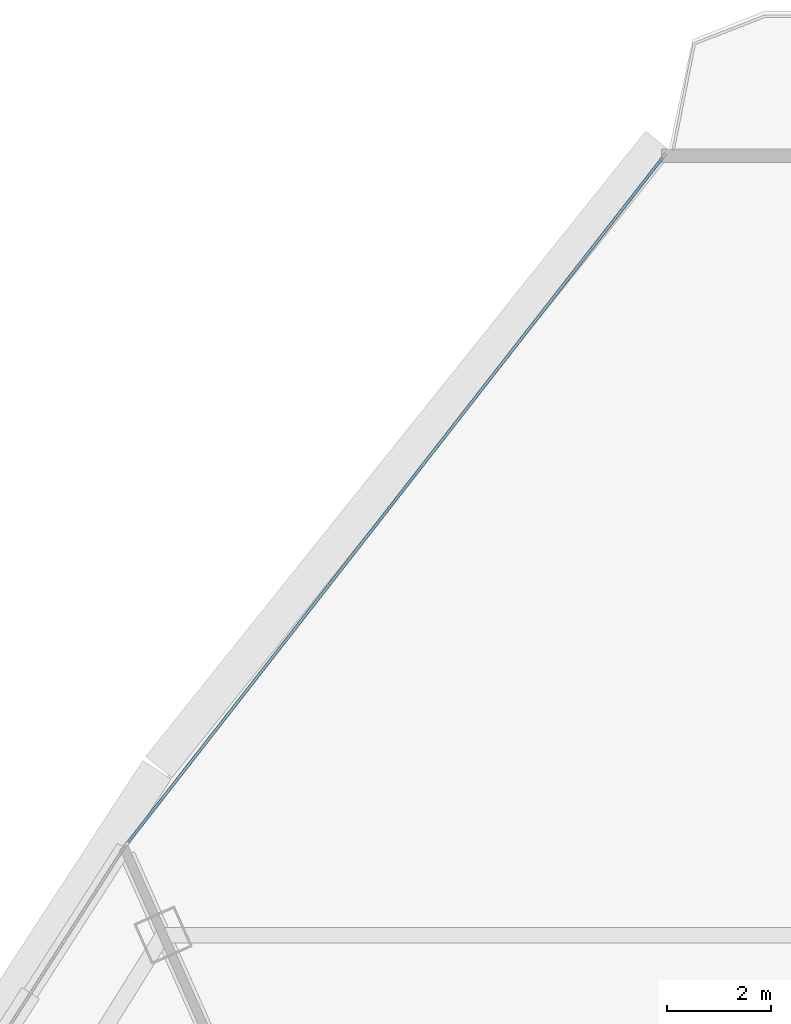
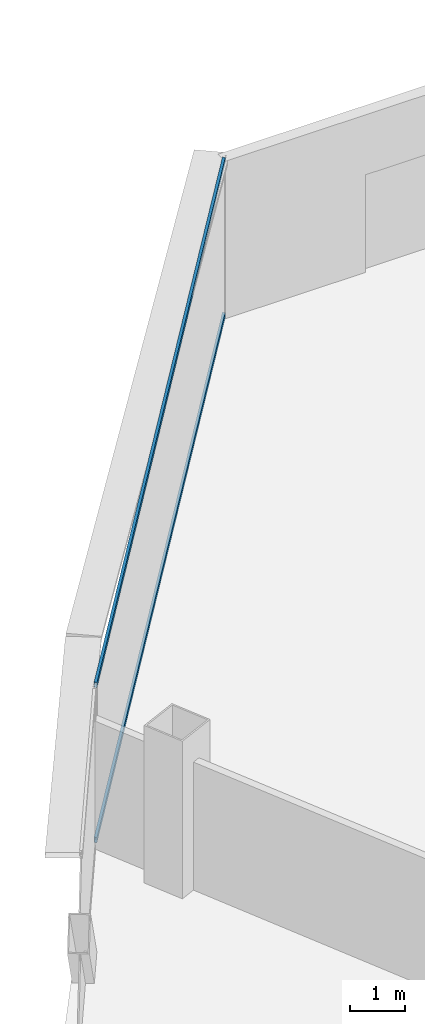
# One storey, part 20 of 37: 2 members, 1 element without a shape of its own.
"""IFC4 building model written with IfcOpenShell, lengths in metres."""

from ifc_helpers import new_model, si_unit, direction, frame, origin, origin_2d, place, context, subcontext, project, spatial, hollow_rectangle, extrude, source, transform, mapped, material, layer, layer_set, material_profile, profile_set, type_object, element, aggregate, save


model = new_model("IFC4")

# Units and contexts
model_context = context("Model", 3, precision=1e-05, world=origin(), true_north=direction((0.0, 1.0)))
body_context = subcontext(model_context, "Body", "Model", "MODEL_VIEW")
ifc_project = project(units=[si_unit("LENGTHUNIT", "METRE"), si_unit("AREAUNIT", "SQUARE_METRE"), si_unit("VOLUMEUNIT", "CUBIC_METRE"), si_unit("PLANEANGLEUNIT", "RADIAN"), si_unit("MASSUNIT", "GRAM", prefix="KILO"), si_unit("THERMODYNAMICTEMPERATUREUNIT", "KELVIN"), si_unit("POWERUNIT", "WATT")], contexts=[model_context])

# Site, building, storey
site_placement = place(None, origin())
site = spatial("IfcSite", under=ifc_project, at=site_placement, CompositionType="ELEMENT")
building_placement = place(site_placement, origin())
building = spatial("IfcBuilding", under=site, at=building_placement, Name="Yunzhuo Pagoda Commons", CompositionType="ELEMENT")
storey_placement = place(building_placement, frame((0.0, 0.0, 259.449951171875)))
storey = spatial("IfcBuildingStorey", under=building, at=storey_placement, Name="L65", CompositionType="ELEMENT", Elevation=259.449951171875)

# Curtain wall, members
ifc_material = material(Name="Anodized aluminium 6063-T6", Category="aluminium")
ifc_layer = layer(ifc_material, 0.139892578125)
ifc_layer_set = layer_set([ifc_layer], Name="Anodized aluminium 6063-T6")
curtain_wall_type = type_object("IfcCurtainWallType", Name="CW-HI High-Zone Ribbon Curtain Wall", PredefinedType="NOTDEFINED", material=ifc_layer_set)
curtain_wall_placement = place(storey_placement, origin())
curtain_wall = element("IfcCurtainWall", 1, at=curtain_wall_placement, inside=storey, type_object=curtain_wall_type, Name="L65 curtain wall CW-L65-F3B1", PredefinedType="NOTDEFINED")
ifc_material_profile = material_profile(ifc_material, hollow_rectangle(XDim=0.054931640625, YDim=0.1201171875, WallThickness=0.00341796875, at=origin_2d()), Name="Anodized aluminium 6063-T6")
ifc_profile_set = profile_set([ifc_material_profile], Name="Anodized aluminium 6063-T6")
member_type = type_object("IfcMemberType", Name="CW-HI-T Transom RHS 120x55x3.5", PredefinedType="USERDEFINED", material=ifc_profile_set)
shared_shape = source(origin(), body_context, "Body", "SweptSolid", [
    extrude(hollow_rectangle(XDim=0.054931640625, YDim=0.1201171875, WallThickness=0.00341796875, at=origin_2d()), origin(), (0.0, 0.0, 1.0), 16.6796875),
])
member_1_placement = place(storey_placement, frame((44.191650390625, 78.75, 0.027587890625), z_axis=(-0.615423035215, -0.788196985357, 0.0), x_axis=(0.788196985357, -0.615423035215, 0.0)))
member_1 = element("IfcMember", 2, at=member_1_placement, type_object=member_type, Name="CW transom 1.1", ObjectType="TRANSOM", PredefinedType="USERDEFINED", context=body_context, shape_type="MappedRepresentation", body=[
    mapped(shared_shape, transform((0.0, 0.0, 0.0), scale=1.0)),
])
member_2_placement = place(storey_placement, frame((44.191650390625, 78.75, 3.442626953125), z_axis=(-0.615423035215, -0.788196985357, 0.0), x_axis=(0.788196985357, -0.615423035215, 0.0)))
member_2 = element("IfcMember", 3, at=member_2_placement, type_object=member_type, Name="CW transom 1.2", ObjectType="TRANSOM", PredefinedType="USERDEFINED", context=body_context, shape_type="MappedRepresentation", body=[
    mapped(shared_shape, transform((0.0, 0.0, 0.0), scale=1.0)),
])
aggregate(curtain_wall, [member_1, member_2])

save(model, "model.ifc")
